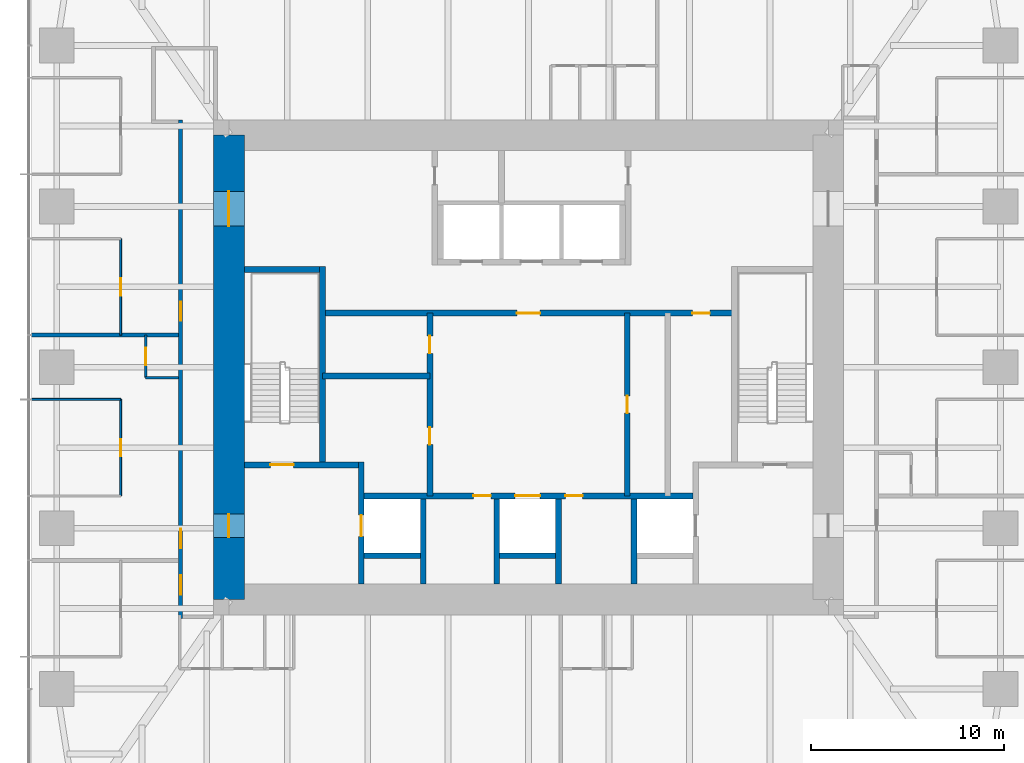
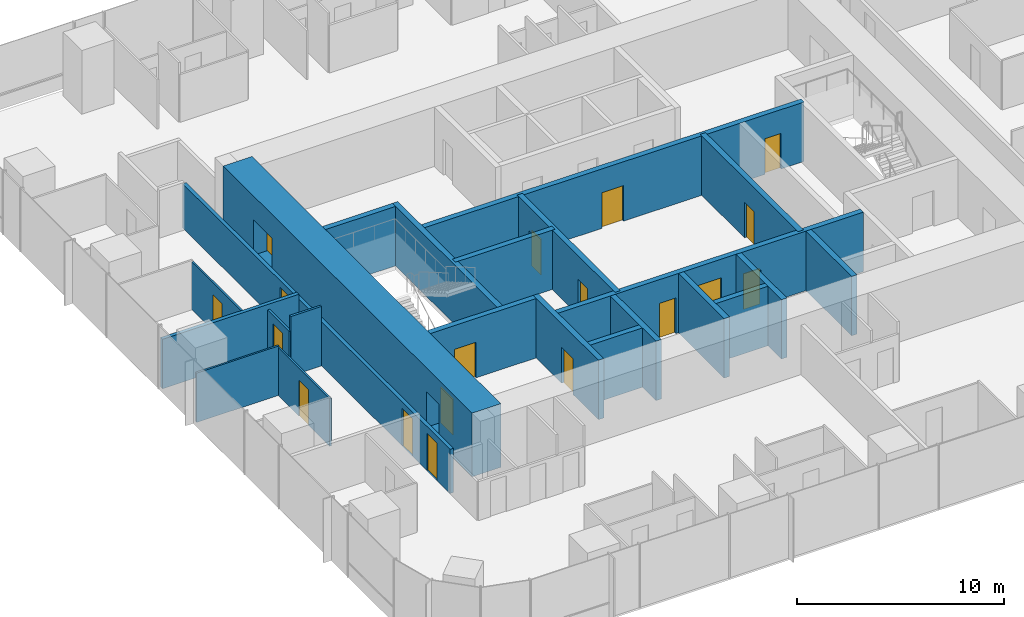
# One storey, part 9 of 13: 23 walls, 18 doors, 18 openings.
"""IFC4 building model written with IfcOpenShell, lengths in metres."""

import ifcopenshell
import ifcopenshell.guid

model = None  # the IFC model being written
_history = None  # IfcOwnerHistory: only IFC2X3 demands one
_inside = {}  # id of a spatial element -> (the spatial element, [elements in it])
_under = {}  # id of a project, library or spatial element -> (it, [spatial elements below it])
_declared = {}  # id of a project -> (the project, [libraries it declares])
_typed = {}  # id of a type object -> (the type object, [elements of that type])
_made_of = {}  # id of a material, layer set ... -> (it, [elements and type objects made of it])


def new_model(schema):
    """Start an empty IFC model of exactly this schema.

    Asked for "IFC4X3", IfcOpenShell would pick the latest addendum, in which some entities
    have other attributes; the version numbers below select the first issue.
    IFC2X3 requires an IfcOwnerHistory on every rooted entity: one is made here for all.
    """
    global model, _history
    if schema == "IFC4X3":
        model = ifcopenshell.file(schema_version=(4, 3, 0, 0))
    else:
        model = ifcopenshell.file(schema=schema)
    _inside.clear()
    _under.clear()
    _declared.clear()
    _typed.clear()
    _made_of.clear()
    _history = None
    if model.schema == "IFC2X3":
        org = make("IfcOrganization", Name="unknown")
        user = make(
            "IfcPersonAndOrganization",
            ThePerson=make("IfcPerson", FamilyName="unknown"),
            TheOrganization=org,
        )
        app = make(
            "IfcApplication",
            ApplicationDeveloper=org,
            Version="unknown",
            ApplicationFullName="unknown",
            ApplicationIdentifier="unknown",
        )
        _history = make(
            "IfcOwnerHistory",
            OwningUser=user,
            OwningApplication=app,
            ChangeAction="ADDED",
            CreationDate=0,
        )
    return model


def make(cls, **values):
    """One entity of the class cls with the attributes given. An attribute that is None is left unset."""
    return model.create_entity(
        cls, **{name: value for name, value in values.items() if value is not None}
    )


def rooted(cls, **values):
    """An entity with a GlobalId (a new one), such as an element, a storey or a relation."""
    return make(cls, GlobalId=ifcopenshell.guid.new(), OwnerHistory=_history, **values)


def si_unit(unit_type, name, prefix=None):
    """IfcSIUnit, for example si_unit("LENGTHUNIT", "METRE", prefix="MILLI")."""
    return make("IfcSIUnit", UnitType=unit_type, Prefix=prefix, Name=name)


def assignment(units):
    """IfcUnitAssignment: the units of a project."""
    return None if units is None else make("IfcUnitAssignment", Units=units)


def point(xyz):
    """IfcCartesianPoint."""
    return None if xyz is None else make("IfcCartesianPoint", Coordinates=xyz)


def direction(xyz):
    """IfcDirection."""
    return None if xyz is None else make("IfcDirection", DirectionRatios=xyz)


def frame(location, z_axis=None, x_axis=None):
    """IfcAxis2Placement3D, a coordinate frame: its origin and axes. An axis left out is left unset."""
    return make(
        "IfcAxis2Placement3D",
        Location=point(location),
        Axis=direction(z_axis),
        RefDirection=direction(x_axis),
    )


def frame_2d(location, x_axis=None):
    """IfcAxis2Placement2D, a coordinate frame in the plane: its origin and x axis."""
    return make(
        "IfcAxis2Placement2D", Location=point(location), RefDirection=direction(x_axis)
    )


def origin():
    """The frame at (0, 0, 0) with its axes left unset."""
    return frame((0.0, 0.0, 0.0))


def place(relative_to, where):
    """IfcLocalPlacement: puts the frame where relative to a parent placement (None: the world)."""
    return make(
        "IfcLocalPlacement", PlacementRelTo=relative_to, RelativePlacement=where
    )


def context(
    kind, dimensions, precision=None, world=None, true_north=None, identifier=None
):
    """IfcGeometricRepresentationContext, for example the 3D "Model" context."""
    return make(
        "IfcGeometricRepresentationContext",
        ContextIdentifier=identifier,
        ContextType=kind,
        CoordinateSpaceDimension=dimensions,
        Precision=precision,
        WorldCoordinateSystem=world,
        TrueNorth=true_north,
    )


def subcontext(parent, identifier, kind, view, scale=None):
    """IfcGeometricRepresentationSubContext, for example "Body" below "Model"."""
    return make(
        "IfcGeometricRepresentationSubContext",
        ContextIdentifier=identifier,
        ContextType=kind,
        ParentContext=parent,
        TargetScale=scale,
        TargetView=view,
    )


def project(units=None, contexts=None):
    """IfcProject with its units and contexts."""
    return rooted(
        "IfcProject",
        Name="project",
        RepresentationContexts=contexts,
        UnitsInContext=assignment(units),
    )


def spatial(cls, under=None, at=None, **own):
    """A site, building, storey or space (cls), placed at a placement, below another one or the project."""
    s = rooted(cls, ObjectPlacement=at, **own)
    if under is not None:
        _under.setdefault(under.id(), (under, []))[1].append(s)
    return s


def profile(cls, at=None, kind="AREA", **sizes):
    """A parametric profile (cls). Its sizes go by their IFC names, for example OverallWidth=200.0."""
    return make(cls, ProfileType=kind, Position=at, **sizes)


def rectangle(**sizes):
    """IfcRectangleProfileDef."""
    return profile("IfcRectangleProfileDef", **sizes)


def extrude(swept, where, along, depth):
    """IfcExtrudedAreaSolid: the profile swept, set in the frame where, extruded along a direction by depth."""
    return make(
        "IfcExtrudedAreaSolid",
        SweptArea=swept,
        Position=where,
        ExtrudedDirection=direction(along),
        Depth=depth,
    )


def shape(context_of_items, identifier, shape_type, items):
    """IfcShapeRepresentation: the items that make up one representation, for example the "Body"."""
    return make(
        "IfcShapeRepresentation",
        ContextOfItems=context_of_items,
        RepresentationIdentifier=identifier,
        RepresentationType=shape_type,
        Items=items,
    )


def material(Name=None, Category=None):
    """IfcMaterial."""
    return make("IfcMaterial", Name=Name, Category=Category)


def layer(
    of_material, thickness, ventilated=None, Name=None, Category=None, Priority=None
):
    """IfcMaterialLayer: one layer of a wall or slab, of a material (None: an air gap)."""
    return make(
        "IfcMaterialLayer",
        Material=of_material,
        LayerThickness=thickness,
        IsVentilated=ventilated,
        Name=Name,
        Category=Category,
        Priority=Priority,
    )


def layer_set(layers, Name=None):
    """IfcMaterialLayerSet."""
    return make("IfcMaterialLayerSet", MaterialLayers=layers, LayerSetName=Name)


def made_of(thing, what):
    """Note that an element or type object is made of a material, layer set ...; save() writes the relation."""
    if what is not None:
        _made_of.setdefault(what.id(), (what, []))[1].append(thing)
    return thing


def type_object(cls, material=None, **own):
    """A type object (cls), such as IfcWallType, which elements share."""
    return made_of(rooted(cls, **own), material)


def element(
    cls,
    number,
    at=None,
    inside=None,
    cuts=None,
    type_object=None,
    material=None,
    context=None,
    identifier="Body",
    shape_type=None,
    held_by="IfcProductDefinitionShape",
    body=None,
    shapes=None,
    **own,
):
    """One element of the class cls, such as IfcWall. Its Tag is "e" and its number.

    at: its placement. inside: the storey or other place that contains it. cuts: it is an
    opening in that element (IfcRelVoidsElement). A single representation is given by context,
    identifier, shape_type and body (its items); several are given by shapes. held_by: the class
    of the entity that holds the representations. save() writes the other relations.
    """
    e = rooted(cls, Tag="e%d" % number, ObjectPlacement=at, **own)
    if body is not None:
        shapes = [shape(context, identifier, shape_type, body)]
    if shapes is not None:
        e.Representation = make(held_by, Representations=shapes)
    if inside is not None:
        _inside.setdefault(inside.id(), (inside, []))[1].append(e)
    if cuts is not None:
        rooted(
            "IfcRelVoidsElement", RelatingBuildingElement=cuts, RelatedOpeningElement=e
        )
    if type_object is not None:
        _typed.setdefault(type_object.id(), (type_object, []))[1].append(e)
    return made_of(e, material)


def fill(opening, filler):
    """IfcRelFillsElement: the door or window that sits in an opening."""
    return rooted(
        "IfcRelFillsElement",
        RelatingOpeningElement=opening,
        RelatedBuildingElement=filler,
    )


def aggregate(whole, parts):
    """IfcRelAggregates: a whole, such as a stair, and the parts it consists of."""
    return rooted("IfcRelAggregates", RelatingObject=whole, RelatedObjects=parts)


def save(model, path):
    """Write the relations noted so far, then the file.

    IfcRelAggregates (storeys below a building ...), IfcRelContainedInSpatialStructure (elements
    in a storey), IfcRelDefinesByType, IfcRelAssociatesMaterial and IfcRelDeclares: one each for
    every whole, place, type object, material and project.
    """
    for whole, parts in _under.values():
        aggregate(whole, parts)
    for where, things in _inside.values():
        rooted(
            "IfcRelContainedInSpatialStructure",
            RelatedElements=things,
            RelatingStructure=where,
        )
    for kind, things in _typed.values():
        rooted("IfcRelDefinesByType", RelatedObjects=things, RelatingType=kind)
    for what, things in _made_of.values():
        rooted("IfcRelAssociatesMaterial", RelatedObjects=things, RelatingMaterial=what)
    for by, libraries in _declared.values():
        rooted("IfcRelDeclares", RelatingContext=by, RelatedDefinitions=libraries)
    model.write(path)


model = new_model("IFC4")

# Units and contexts
model_context = context("Model", 3, precision=1e-05, world=origin(), true_north=direction((0.0, 1.0)))
body_context = subcontext(model_context, "Body", "Model", "MODEL_VIEW")
ifc_project = project(units=[si_unit("LENGTHUNIT", "METRE"), si_unit("AREAUNIT", "SQUARE_METRE"), si_unit("VOLUMEUNIT", "CUBIC_METRE"), si_unit("PLANEANGLEUNIT", "RADIAN"), si_unit("MASSUNIT", "GRAM", prefix="KILO")], contexts=[model_context])

# Site, building, storey
site_placement = place(None, origin())
site = spatial("IfcSite", under=ifc_project, at=site_placement, CompositionType="ELEMENT")
building_placement = place(site_placement, origin())
building = spatial("IfcBuilding", under=site, at=building_placement, Name="Khuree Lantern Residences", CompositionType="ELEMENT")
storey_placement = place(building_placement, frame((0.0, 0.0, 248.25)))
storey = spatial("IfcBuildingStorey", under=building, at=storey_placement, Name="L62", CompositionType="ELEMENT", Elevation=248.25)

# Wall, opening, door
ifc_material_1 = material(Name="Moisture-resistant gypsum board on steel studs", Category="steel")
ifc_layer_1 = layer(ifc_material_1, 0.125)
ifc_layer_set_1 = layer_set([ifc_layer_1], Name="BATHROOM WALL BTW125")
wall_type_1 = type_object("IfcWallType", Name="BATHROOM WALL BTW125", PredefinedType="PARTITIONING", material=ifc_layer_set_1)
wall_1_placement = place(storey_placement, frame((-19.800048828125, 1.6640625, 0.0), z_axis=(0.0, 0.0, 1.0), x_axis=(0.0, -1.0, 0.0)))
wall_1 = element("IfcWall", 1, at=wall_1_placement, inside=storey, type_object=wall_type_1, Name="L62 BATHROOM WALL 04", PredefinedType="PARTITIONING", context=body_context, shape_type="SweptSolid", body=[
    extrude(rectangle(XDim=2.199951171875, YDim=0.125, at=frame_2d((1.10009765625, 0.0))), origin(), (0.0, 0.0, 1.0), 2.60009765625),
])
opening_1_placement = place(wall_1_placement, frame((0.64990234375, 0.0, 0.0)))
opening_1 = element("IfcOpeningElement", 2, at=opening_1_placement, cuts=wall_1, Name="Opening 62-043", PredefinedType="OPENING", context=body_context, shape_type="SweptSolid", body=[
    extrude(rectangle(XDim=0.89990234375, YDim=2.10009765625, at=frame_2d((0.449951171875, 1.050048828125))), frame((0.0, 0.072509765625, 0.0), z_axis=(0.0, -1.0, 0.0), x_axis=(1.0, 0.0, 0.0)), (0.0, 0.0, 1.0), 0.14501953125),
])
ifc_material_2 = material(Name="Timber door leaf in hardwood frame", Category="wood")
door_type_1 = type_object("IfcDoorType", Name="BATHROOM DOOR 900X2100", OperationType="SINGLE_SWING_LEFT", PredefinedType="DOOR", material=ifc_material_2)
door_1_placement = place(opening_1_placement, origin())
door_1 = element("IfcDoor", 3, at=door_1_placement, inside=storey, type_object=door_type_1, Name="Bathroom door 62-043", OperationType="SINGLE_SWING_LEFT", OverallHeight=2.10009765625, OverallWidth=0.89990234375, PredefinedType="DOOR", context=body_context, shape_type="SweptSolid", body=[
    extrude(rectangle(XDim=0.89990234375, YDim=2.10009765625, at=frame_2d((0.449951171875, 1.050048828125))), frame((0.0, 0.02490234375, 0.0), z_axis=(0.0, -1.0, 0.0), x_axis=(1.0, 0.0, 0.0)), (0.0, 0.0, 1.0), 0.050048828125),
])
fill(opening_1, door_1)

# Wall
wall_2_placement = place(storey_placement, frame((-18.10009765625, -0.535888671875, 0.0), z_axis=(0.0, 0.0, 1.0), x_axis=(-1.0, 0.0, 0.0)))
element("IfcWall", 4, at=wall_2_placement, inside=storey, type_object=wall_type_1, Name="L62 BATHROOM WALL 04", PredefinedType="PARTITIONING", context=body_context, shape_type="SweptSolid", body=[
    extrude(rectangle(XDim=1.699951171875, YDim=0.125, at=frame_2d((0.85009765625, 0.0))), origin(), (0.0, 0.0, 1.0), 3.5),
])

# Wall, opening, door
ifc_material_3 = material(Name="Dense concrete blockwork", Category="masonry")
ifc_layer_2 = layer(ifc_material_3, 0.300048828125)
ifc_layer_set_2 = layer_set([ifc_layer_2], Name="CORE PARTITION WALL CPW300 EI 120")
wall_type_2 = type_object("IfcWallType", Name="CORE PARTITION WALL CPW300 EI 120", PredefinedType="PARTITIONING", material=ifc_layer_set_2)
wall_3_placement = place(storey_placement, frame((-8.64990234375, -11.199951171875, 0.0), z_axis=(0.0, 0.0, 1.0), x_axis=(0.0, 1.0, 0.0)))
wall_3 = element("IfcWall", 5, at=wall_3_placement, inside=storey, type_object=wall_type_2, Name="L62 CORE WALL FL1W", PredefinedType="PARTITIONING", context=body_context, shape_type="SweptSolid", body=[
    extrude(rectangle(XDim=6.300048828125, YDim=0.300048828125, at=frame_2d((3.14990234375, 0.0))), origin(), (0.0, 0.0, 1.0), 3.5),
])
opening_2_placement = place(wall_3_placement, frame((2.449951171875, 0.0, 0.0)))
opening_2 = element("IfcOpeningElement", 6, at=opening_2_placement, cuts=wall_3, Name="Opening 62-007", PredefinedType="OPENING", context=body_context, shape_type="SweptSolid", body=[
    extrude(rectangle(XDim=1.10009765625, YDim=2.10009765625, at=frame_2d((0.550048828125, 1.050048828125))), frame((0.0, 0.16015625, 0.0), z_axis=(0.0, -1.0, 0.0), x_axis=(1.0, 0.0, 0.0)), (0.0, 0.0, 1.0), 0.320068359375),
])
ifc_material_4 = material(Name="Stainless steel lift landing door", Category="steel")
door_type_2 = type_object("IfcDoorType", Name="LIFT LANDING DOOR 1100X2100 E 120", OperationType="DOUBLE_DOOR_SLIDING", PredefinedType="DOOR", material=ifc_material_4)
door_2_placement = place(opening_2_placement, origin())
door_2 = element("IfcDoor", 7, at=door_2_placement, inside=storey, type_object=door_type_2, Name="Landing door FL1 62-007", OperationType="DOUBLE_DOOR_SLIDING", OverallHeight=2.10009765625, OverallWidth=1.10009765625, PredefinedType="DOOR", context=body_context, shape_type="SweptSolid", body=[
    extrude(rectangle(XDim=1.10009765625, YDim=2.10009765625, at=frame_2d((0.550048828125, 1.050048828125))), frame((0.0, 0.02490234375, 0.0), z_axis=(0.0, -1.0, 0.0), x_axis=(1.0, 0.0, 0.0)), (0.0, 0.0, 1.0), 0.050048828125),
])
fill(opening_2, door_2)

# Wall, openings, doors
wall_4_placement = place(storey_placement, frame((-8.5, -6.64990234375, 0.0), z_axis=(0.0, 0.0, 1.0), x_axis=(1.0, 0.0, 0.0)))
wall_4 = element("IfcWall", 8, at=wall_4_placement, inside=storey, type_object=wall_type_2, Name="L62 CORE WALL FLROW", PredefinedType="PARTITIONING", context=body_context, shape_type="SweptSolid", body=[
    extrude(rectangle(XDim=17.0, YDim=0.300048828125, at=frame_2d((8.5, 0.0))), origin(), (0.0, 0.0, 1.0), 3.5),
])
opening_3_placement = place(wall_4_placement, frame((7.800048828125, 0.0, 0.0)))
opening_3 = element("IfcOpeningElement", 9, at=opening_3_placement, cuts=wall_4, Name="Opening 62-012", PredefinedType="OPENING", context=body_context, shape_type="SweptSolid", body=[
    extrude(rectangle(XDim=1.300048828125, YDim=2.39990234375, at=frame_2d((0.64990234375, 1.199951171875))), frame((0.0, 0.16015625, 0.0), z_axis=(0.0, -1.0, 0.0), x_axis=(1.0, 0.0, 0.0)), (0.0, 0.0, 1.0), 0.320068359375),
])
opening_4_placement = place(wall_4_placement, frame((5.64990234375, 0.0, 0.0)))
opening_4 = element("IfcOpeningElement", 10, at=opening_4_placement, cuts=wall_4, Name="Opening 62-014", PredefinedType="OPENING", context=body_context, shape_type="SweptSolid", body=[
    extrude(rectangle(XDim=0.89990234375, YDim=2.10009765625, at=frame_2d((0.449951171875, 1.050048828125))), frame((0.0, 0.16015625, 0.0), z_axis=(0.0, -1.0, 0.0), x_axis=(1.0, 0.0, 0.0)), (0.0, 0.0, 1.0), 0.320068359375),
])
opening_5_placement = place(wall_4_placement, frame((10.39990234375, 0.0, 0.0)))
opening_5 = element("IfcOpeningElement", 11, at=opening_5_placement, cuts=wall_4, Name="Opening 62-015", PredefinedType="OPENING", context=body_context, shape_type="SweptSolid", body=[
    extrude(rectangle(XDim=0.89990234375, YDim=2.10009765625, at=frame_2d((0.449951171875, 1.050048828125))), frame((0.0, 0.16015625, 0.0), z_axis=(0.0, -1.0, 0.0), x_axis=(1.0, 0.0, 0.0)), (0.0, 0.0, 1.0), 0.320068359375),
])
ifc_material_5 = material(Name="Steel door leaf in steel frame", Category="steel")
door_type_3 = type_object("IfcDoorType", Name="DOOR 900X2100 EI 60", OperationType="SINGLE_SWING_LEFT", PredefinedType="DOOR", material=ifc_material_5)
door_3_placement = place(opening_4_placement, origin())
door_3 = element("IfcDoor", 12, at=door_3_placement, inside=storey, type_object=door_type_3, Name="Refuse chute room door 62-014", OperationType="SINGLE_SWING_LEFT", OverallHeight=2.10009765625, OverallWidth=0.89990234375, PredefinedType="DOOR", context=body_context, shape_type="SweptSolid", body=[
    extrude(rectangle(XDim=0.89990234375, YDim=2.10009765625, at=frame_2d((0.449951171875, 1.050048828125))), frame((0.0, 0.02490234375, 0.0), z_axis=(0.0, -1.0, 0.0), x_axis=(1.0, 0.0, 0.0)), (0.0, 0.0, 1.0), 0.050048828125),
])
fill(opening_4, door_3)
door_type_4 = type_object("IfcDoorType", Name="DOOR 900X2100 EI 60 RIGHT HAND", OperationType="SINGLE_SWING_RIGHT", PredefinedType="DOOR", material=ifc_material_5)
door_4_placement = place(opening_5_placement, origin())
door_4 = element("IfcDoor", 13, at=door_4_placement, inside=storey, type_object=door_type_4, Name="Electrical and plumbing riser door 62-015", OperationType="SINGLE_SWING_RIGHT", OverallHeight=2.10009765625, OverallWidth=0.89990234375, PredefinedType="DOOR", context=body_context, shape_type="SweptSolid", body=[
    extrude(rectangle(XDim=0.89990234375, YDim=2.10009765625, at=frame_2d((0.449951171875, 1.050048828125))), frame((0.0, 0.02490234375, 0.0), z_axis=(0.0, -1.0, 0.0), x_axis=(1.0, 0.0, 0.0)), (0.0, 0.0, 1.0), 0.050048828125),
])
fill(opening_5, door_4)
door_type_5 = type_object("IfcDoorType", Name="LIFT LANDING DOOR 1300X2400 E 60", OperationType="DOUBLE_DOOR_SLIDING", PredefinedType="DOOR", material=ifc_material_4)
door_5_placement = place(opening_3_placement, origin())
door_5 = element("IfcDoor", 14, at=door_5_placement, inside=storey, type_object=door_type_5, Name="Landing door SL1 62-012", OperationType="DOUBLE_DOOR_SLIDING", OverallHeight=2.39990234375, OverallWidth=1.300048828125, PredefinedType="DOOR", context=body_context, shape_type="SweptSolid", body=[
    extrude(rectangle(XDim=1.300048828125, YDim=2.39990234375, at=frame_2d((0.64990234375, 1.199951171875))), frame((0.0, 0.02490234375, 0.0), z_axis=(0.0, -1.0, 0.0), x_axis=(1.0, 0.0, 0.0)), (0.0, 0.0, 1.0), 0.050048828125),
])
fill(opening_3, door_5)

# Walls
for number, where, z_axis, x_axis, name in (
    (15, (-5.449951171875, -11.199951171875, 0.0), (0.0, 0.0, 1.0), (0.0, 1.0, 0.0), "L62 CORE WALL FL1E"),
    (16, (-1.64990234375, -11.199951171875, 0.0), (0.0, 0.0, 1.0), (0.0, 1.0, 0.0), "L62 CORE WALL SL1W"),
    (17, (1.550048828125, -11.199951171875, 0.0), (0.0, 0.0, 1.0), (0.0, 1.0, 0.0), "L62 CORE WALL SL1E"),
    (18, (5.449951171875, -11.199951171875, 0.0), (0.0, 0.0, 1.0), (0.0, 1.0, 0.0), "L62 CORE WALL FL2W"),
):
    element("IfcWall", number, at=place(storey_placement, frame(where, z_axis=z_axis, x_axis=x_axis)), inside=storey, type_object=wall_type_2, Name=name, PredefinedType="PARTITIONING", context=body_context, shape_type="SweptSolid", body=[
        extrude(rectangle(XDim=4.39990234375, YDim=0.300048828125, at=frame_2d((2.199951171875, 0.0))), origin(), (0.0, 0.0, 1.0), 3.5),
    ])
for number, where, z_axis, x_axis, name in (
    (19, (-8.5, -9.75, 0.0), (0.0, 0.0, 1.0), (1.0, 0.0, 0.0), "L62 CORE WALL FL1S"),
    (20, (-1.5, -9.75, 0.0), (0.0, 0.0, 1.0), (1.0, 0.0, 0.0), "L62 CORE WALL SL1S"),
):
    element("IfcWall", number, at=place(storey_placement, frame(where, z_axis=z_axis, x_axis=x_axis)), inside=storey, type_object=wall_type_2, Name=name, PredefinedType="PARTITIONING", context=body_context, shape_type="SweptSolid", body=[
        extrude(rectangle(XDim=2.89990234375, YDim=0.300048828125, at=frame_2d((1.449951171875, 0.0))), origin(), (0.0, 0.0, 1.0), 3.5),
    ])

# Wall, openings, doors
wall_5_placement = place(storey_placement, frame((-10.64990234375, 2.800048828125, 0.0), z_axis=(0.0, 0.0, 1.0), x_axis=(1.0, 0.0, 0.0)))
wall_5 = element("IfcWall", 21, at=wall_5_placement, inside=storey, type_object=wall_type_2, Name="L62 CORE WALL LLS", PredefinedType="PARTITIONING", context=body_context, shape_type="SweptSolid", body=[
    extrude(rectangle(XDim=21.2998046875, YDim=0.300048828125, at=frame_2d((10.64990234375, 0.0))), origin(), (0.0, 0.0, 1.0), 3.5),
])
opening_6_placement = place(wall_5_placement, frame((10.050048828125, 0.0, 0.0)))
opening_6 = element("IfcOpeningElement", 22, at=opening_6_placement, cuts=wall_5, Name="Opening 62-013", PredefinedType="OPENING", context=body_context, shape_type="SweptSolid", body=[
    extrude(rectangle(XDim=1.199951171875, YDim=2.10009765625, at=frame_2d((0.60009765625, 1.050048828125))), frame((0.0, 0.16015625, 0.0), z_axis=(0.0, -1.0, 0.0), x_axis=(1.0, 0.0, 0.0)), (0.0, 0.0, 1.0), 0.320068359375),
])
opening_7_placement = place(wall_5_placement, frame((19.12109375, 0.0, 0.0)))
opening_7 = element("IfcOpeningElement", 23, at=opening_7_placement, cuts=wall_5, Name="Opening 62-019", PredefinedType="OPENING", context=body_context, shape_type="SweptSolid", body=[
    extrude(rectangle(XDim=0.89990234375, YDim=2.10009765625, at=frame_2d((0.449951171875, 1.050048828125))), frame((0.0, 0.16015625, 0.0), z_axis=(0.0, -1.0, 0.0), x_axis=(1.0, 0.0, 0.0)), (0.0, 0.0, 1.0), 0.320068359375),
])
door_type_6 = type_object("IfcDoorType", Name="DOOR 1200X2100 EI 60", OperationType="SINGLE_SWING_LEFT", PredefinedType="DOOR", material=ifc_material_5)
door_6_placement = place(opening_6_placement, origin())
door_6 = element("IfcDoor", 24, at=door_6_placement, inside=storey, type_object=door_type_6, Name="Service lift lobby door 62-013", OperationType="SINGLE_SWING_LEFT", OverallHeight=2.10009765625, OverallWidth=1.199951171875, PredefinedType="DOOR", context=body_context, shape_type="SweptSolid", body=[
    extrude(rectangle(XDim=1.199951171875, YDim=2.10009765625, at=frame_2d((0.60009765625, 1.050048828125))), frame((0.0, 0.02490234375, 0.0), z_axis=(0.0, -1.0, 0.0), x_axis=(1.0, 0.0, 0.0)), (0.0, 0.0, 1.0), 0.050048828125),
])
fill(opening_6, door_6)
door_type_7 = type_object("IfcDoorType", Name="DOOR 900X2100 RIGHT HAND", OperationType="SINGLE_SWING_RIGHT", PredefinedType="DOOR", material=ifc_material_2)
door_7_placement = place(opening_7_placement, origin())
door_7 = element("IfcDoor", 25, at=door_7_placement, inside=storey, type_object=door_type_7, Name="Residents' store door 62-019", OperationType="SINGLE_SWING_RIGHT", OverallHeight=2.10009765625, OverallWidth=0.89990234375, PredefinedType="DOOR", context=body_context, shape_type="SweptSolid", body=[
    extrude(rectangle(XDim=0.89990234375, YDim=2.10009765625, at=frame_2d((0.449951171875, 1.050048828125))), frame((0.0, 0.02490234375, 0.0), z_axis=(0.0, -1.0, 0.0), x_axis=(1.0, 0.0, 0.0)), (0.0, 0.0, 1.0), 0.050048828125),
])
fill(opening_7, door_7)

wall_6_placement = place(storey_placement, frame((-5.10009765625, -6.64990234375, 0.0), z_axis=(0.0, 0.0, 1.0), x_axis=(0.0, 1.0, 0.0)))
wall_6 = element("IfcWall", 26, at=wall_6_placement, inside=storey, type_object=wall_type_2, Name="L62 CORE WALL SVW", PredefinedType="PARTITIONING", context=body_context, shape_type="SweptSolid", body=[
    extrude(rectangle(XDim=9.449951171875, YDim=0.300048828125, at=frame_2d((4.72509765625, 0.0))), origin(), (0.0, 0.0, 1.0), 3.5),
])
opening_8_placement = place(wall_6_placement, frame((2.64794921875, 0.0, 0.0)))
opening_8 = element("IfcOpeningElement", 27, at=opening_8_placement, cuts=wall_6, Name="Opening 62-016", PredefinedType="OPENING", context=body_context, shape_type="SweptSolid", body=[
    extrude(rectangle(XDim=0.89990234375, YDim=2.10009765625, at=frame_2d((0.449951171875, 1.050048828125))), frame((0.0, 0.16015625, 0.0), z_axis=(0.0, -1.0, 0.0), x_axis=(1.0, 0.0, 0.0)), (0.0, 0.0, 1.0), 0.320068359375),
])
opening_9_placement = place(wall_6_placement, frame((7.373046875, 0.0, 0.0)))
opening_9 = element("IfcOpeningElement", 28, at=opening_9_placement, cuts=wall_6, Name="Opening 62-017", PredefinedType="OPENING", context=body_context, shape_type="SweptSolid", body=[
    extrude(rectangle(XDim=0.89990234375, YDim=2.10009765625, at=frame_2d((0.449951171875, 1.050048828125))), frame((0.0, 0.16015625, 0.0), z_axis=(0.0, -1.0, 0.0), x_axis=(1.0, 0.0, 0.0)), (0.0, 0.0, 1.0), 0.320068359375),
])
door_type_8 = type_object("IfcDoorType", Name="DOOR 900X2100", OperationType="SINGLE_SWING_LEFT", PredefinedType="DOOR", material=ifc_material_2)
door_8_placement = place(opening_8_placement, origin())
door_8 = element("IfcDoor", 29, at=door_8_placement, inside=storey, type_object=door_type_8, Name="Residents' store door 62-016", OperationType="SINGLE_SWING_LEFT", OverallHeight=2.10009765625, OverallWidth=0.89990234375, PredefinedType="DOOR", context=body_context, shape_type="SweptSolid", body=[
    extrude(rectangle(XDim=0.89990234375, YDim=2.10009765625, at=frame_2d((0.449951171875, 1.050048828125))), frame((0.0, 0.02490234375, 0.0), z_axis=(0.0, -1.0, 0.0), x_axis=(1.0, 0.0, 0.0)), (0.0, 0.0, 1.0), 0.050048828125),
])
fill(opening_8, door_8)
door_9_placement = place(opening_9_placement, origin())
door_9 = element("IfcDoor", 30, at=door_9_placement, inside=storey, type_object=door_type_8, Name="Bulky waste store door 62-017", OperationType="SINGLE_SWING_LEFT", OverallHeight=2.10009765625, OverallWidth=0.89990234375, PredefinedType="DOOR", context=body_context, shape_type="SweptSolid", body=[
    extrude(rectangle(XDim=0.89990234375, YDim=2.10009765625, at=frame_2d((0.449951171875, 1.050048828125))), frame((0.0, 0.02490234375, 0.0), z_axis=(0.0, -1.0, 0.0), x_axis=(1.0, 0.0, 0.0)), (0.0, 0.0, 1.0), 0.050048828125),
])
fill(opening_9, door_9)

# Wall, opening, door
wall_7_placement = place(storey_placement, frame((5.10009765625, -6.64990234375, 0.0), z_axis=(0.0, 0.0, 1.0), x_axis=(0.0, 1.0, 0.0)))
wall_7 = element("IfcWall", 31, at=wall_7_placement, inside=storey, type_object=wall_type_2, Name="L62 CORE WALL SVE", PredefinedType="PARTITIONING", context=body_context, shape_type="SweptSolid", body=[
    extrude(rectangle(XDim=9.449951171875, YDim=0.300048828125, at=frame_2d((4.72509765625, 0.0))), origin(), (0.0, 0.0, 1.0), 3.5),
])
opening_10_placement = place(wall_7_placement, frame((4.27490234375, 0.0, 0.0)))
opening_10 = element("IfcOpeningElement", 32, at=opening_10_placement, cuts=wall_7, Name="Opening 62-018", PredefinedType="OPENING", context=body_context, shape_type="SweptSolid", body=[
    extrude(rectangle(XDim=0.89990234375, YDim=2.10009765625, at=frame_2d((0.449951171875, 1.050048828125))), frame((0.0, 0.16015625, 0.0), z_axis=(0.0, -1.0, 0.0), x_axis=(1.0, 0.0, 0.0)), (0.0, 0.0, 1.0), 0.320068359375),
])
door_10_placement = place(opening_10_placement, origin())
door_10 = element("IfcDoor", 33, at=door_10_placement, inside=storey, type_object=door_type_8, Name="Parcel room door 62-018", OperationType="SINGLE_SWING_LEFT", OverallHeight=2.10009765625, OverallWidth=0.89990234375, PredefinedType="DOOR", context=body_context, shape_type="SweptSolid", body=[
    extrude(rectangle(XDim=0.89990234375, YDim=2.10009765625, at=frame_2d((0.449951171875, 1.050048828125))), frame((0.0, 0.02490234375, 0.0), z_axis=(0.0, -1.0, 0.0), x_axis=(1.0, 0.0, 0.0)), (0.0, 0.0, 1.0), 0.050048828125),
])
fill(opening_10, door_10)

# Wall
wall_8_placement = place(storey_placement, frame((-10.64990234375, -0.455078125, 0.0), z_axis=(0.0, 0.0, 1.0), x_axis=(1.0, 0.0, 0.0)))
element("IfcWall", 34, at=wall_8_placement, inside=storey, type_object=wall_type_2, Name="L62 CORE WALL WX", PredefinedType="PARTITIONING", context=body_context, shape_type="SweptSolid", body=[
    extrude(rectangle(XDim=5.5498046875, YDim=0.300048828125, at=frame_2d((2.77490234375, 0.0))), origin(), (0.0, 0.0, 1.0), 3.5),
])

# Wall, openings, doors
ifc_material_6 = material(Name="Gypsum board on steel studs", Category="steel")
ifc_layer_3 = layer(ifc_material_6, 0.199951171875)
ifc_layer_set_3 = layer_set([ifc_layer_3], Name="CORRIDOR WALL CRW200 EI 60")
wall_type_3 = type_object("IfcWallType", Name="CORRIDOR WALL CRW200 EI 60", PredefinedType="PARTITIONING", material=ifc_layer_set_3)
wall_9_placement = place(storey_placement, frame((-18.0, 12.800048828125, 0.0), z_axis=(0.0, 0.0, 1.0), x_axis=(0.0, -1.0, 0.0)))
wall_9 = element("IfcWall", 35, at=wall_9_placement, inside=storey, type_object=wall_type_3, Name="L62 CORRIDOR WALL WEST 1", PredefinedType="PARTITIONING", context=body_context, shape_type="SweptSolid", body=[
    extrude(rectangle(XDim=25.800048828125, YDim=0.199951171875, at=frame_2d((12.89990234375, 0.0))), origin(), (0.0, 0.0, 1.0), 2.60009765625),
])
opening_11_placement = place(wall_9_placement, frame((9.39990234375, 0.0, 0.0)))
opening_11 = element("IfcOpeningElement", 36, at=opening_11_placement, cuts=wall_9, Name="Opening 62-041", PredefinedType="OPENING", context=body_context, shape_type="SweptSolid", body=[
    extrude(rectangle(XDim=1.0, YDim=2.199951171875, at=frame_2d((0.5, 1.10009765625))), frame((0.0, 0.10986328125, 0.0), z_axis=(0.0, -1.0, 0.0), x_axis=(1.0, 0.0, 0.0)), (0.0, 0.0, 1.0), 0.219970703125),
])
opening_12_placement = place(wall_9_placement, frame((21.156005859375, 0.0, 0.0)))
opening_12 = element("IfcOpeningElement", 37, at=opening_12_placement, cuts=wall_9, Name="Opening 62-044", PredefinedType="OPENING", context=body_context, shape_type="SweptSolid", body=[
    extrude(rectangle(XDim=1.0, YDim=2.199951171875, at=frame_2d((0.5, 1.10009765625))), frame((0.0, 0.10986328125, 0.0), z_axis=(0.0, -1.0, 0.0), x_axis=(1.0, 0.0, 0.0)), (0.0, 0.0, 1.0), 0.219970703125),
])
opening_13_placement = place(wall_9_placement, frame((23.553955078125, 0.0, 0.0)))
opening_13 = element("IfcOpeningElement", 38, at=opening_13_placement, cuts=wall_9, Name="Opening 62-053", PredefinedType="OPENING", context=body_context, shape_type="SweptSolid", body=[
    extrude(rectangle(XDim=1.0, YDim=2.199951171875, at=frame_2d((0.5, 1.10009765625))), frame((0.0, 0.10986328125, 0.0), z_axis=(0.0, -1.0, 0.0), x_axis=(1.0, 0.0, 0.0)), (0.0, 0.0, 1.0), 0.219970703125),
])
door_type_9 = type_object("IfcDoorType", Name="APARTMENT ENTRANCE DOOR 1000X2200 EI 30S", OperationType="SINGLE_SWING_LEFT", PredefinedType="DOOR", material=ifc_material_2)
door_11_placement = place(opening_11_placement, origin())
door_11 = element("IfcDoor", 39, at=door_11_placement, inside=storey, type_object=door_type_9, Name="Apartment 03 entrance door 62-041", OperationType="SINGLE_SWING_LEFT", OverallHeight=2.199951171875, OverallWidth=1.0, PredefinedType="DOOR", context=body_context, shape_type="SweptSolid", body=[
    extrude(rectangle(XDim=1.0, YDim=2.199951171875, at=frame_2d((0.5, 1.10009765625))), frame((0.0, 0.02490234375, 0.0), z_axis=(0.0, -1.0, 0.0), x_axis=(1.0, 0.0, 0.0)), (0.0, 0.0, 1.0), 0.050048828125),
])
fill(opening_11, door_11)
door_type_10 = type_object("IfcDoorType", Name="APARTMENT ENTRANCE DOOR 1000X2200 EI 30S RIGHT HAND", OperationType="SINGLE_SWING_RIGHT", PredefinedType="DOOR", material=ifc_material_2)
door_12_placement = place(opening_12_placement, origin())
door_12 = element("IfcDoor", 40, at=door_12_placement, inside=storey, type_object=door_type_10, Name="Apartment 04 entrance door 62-044", OperationType="SINGLE_SWING_RIGHT", OverallHeight=2.199951171875, OverallWidth=1.0, PredefinedType="DOOR", context=body_context, shape_type="SweptSolid", body=[
    extrude(rectangle(XDim=1.0, YDim=2.199951171875, at=frame_2d((0.5, 1.10009765625))), frame((0.0, 0.02490234375, 0.0), z_axis=(0.0, -1.0, 0.0), x_axis=(1.0, 0.0, 0.0)), (0.0, 0.0, 1.0), 0.050048828125),
])
fill(opening_12, door_12)
door_13_placement = place(opening_13_placement, origin())
door_13 = element("IfcDoor", 41, at=door_13_placement, inside=storey, type_object=door_type_10, Name="Apartment 05 entrance door 62-053", OperationType="SINGLE_SWING_RIGHT", OverallHeight=2.199951171875, OverallWidth=1.0, PredefinedType="DOOR", context=body_context, shape_type="SweptSolid", body=[
    extrude(rectangle(XDim=1.0, YDim=2.199951171875, at=frame_2d((0.5, 1.10009765625))), frame((0.0, 0.02490234375, 0.0), z_axis=(0.0, -1.0, 0.0), x_axis=(1.0, 0.0, 0.0)), (0.0, 0.0, 1.0), 0.050048828125),
])
fill(opening_13, door_13)

ifc_material_7 = material(Name="Concrete C50/60", Category="concrete")
ifc_layer_4 = layer(ifc_material_7, 1.60009765625)
ifc_layer_set_4 = layer_set([ifc_layer_4], Name="CW1600-C50 CORE WALL C50 1600")
wall_type_4 = type_object("IfcWallType", Name="CW1600-C50 CORE WALL C50 1600", PredefinedType="SHEAR", material=ifc_layer_set_4)
wall_10_placement = place(storey_placement, frame((-15.5, -12.0, -0.25), z_axis=(0.0, 0.0, 1.0), x_axis=(0.0, 1.0, 0.0)))
wall_10 = element("IfcWall", 42, at=wall_10_placement, inside=storey, type_object=wall_type_4, Name="Core wall W", PredefinedType="SHEAR", context=body_context, shape_type="SweptSolid", body=[
    extrude(rectangle(XDim=24.0, YDim=1.60009765625, at=frame_2d((12.0, 0.0))), origin(), (0.0, 0.0, 1.0), 3.75),
])
opening_14_placement = place(wall_10_placement, frame((3.199951171875, 0.0, 0.25)))
opening_14 = element("IfcOpeningElement", 43, at=opening_14_placement, cuts=wall_10, Name="Opening 62-002", PredefinedType="OPENING", context=body_context, shape_type="SweptSolid", body=[
    extrude(rectangle(XDim=1.199951171875, YDim=2.10009765625, at=frame_2d((0.60009765625, 1.050048828125))), frame((0.0, 0.81005859375, 0.0), z_axis=(0.0, -1.0, 0.0), x_axis=(1.0, 0.0, 0.0)), (0.0, 0.0, 1.0), 1.6201171875),
])
opening_15_placement = place(wall_10_placement, frame((19.300048828125, 0.0, 0.25)))
opening_15 = element("IfcOpeningElement", 44, at=opening_15_placement, cuts=wall_10, Name="Opening 62-003", PredefinedType="OPENING", context=body_context, shape_type="SweptSolid", body=[
    extrude(rectangle(XDim=1.800048828125, YDim=2.10009765625, at=frame_2d((0.89990234375, 1.050048828125))), frame((0.0, 0.81005859375, 0.0), z_axis=(0.0, -1.0, 0.0), x_axis=(1.0, 0.0, 0.0)), (0.0, 0.0, 1.0), 1.6201171875),
])
door_type_11 = type_object("IfcDoorType", Name="LOBBY DOOR 1200X2100 EI 120", OperationType="SINGLE_SWING_LEFT", PredefinedType="DOOR", material=ifc_material_5)
door_14_placement = place(opening_14_placement, origin())
door_14 = element("IfcDoor", 45, at=door_14_placement, inside=storey, type_object=door_type_11, Name="Firefighting lobby door 62-002", OperationType="SINGLE_SWING_LEFT", OverallHeight=2.10009765625, OverallWidth=1.199951171875, PredefinedType="DOOR", context=body_context, shape_type="SweptSolid", body=[
    extrude(rectangle(XDim=1.199951171875, YDim=2.10009765625, at=frame_2d((0.60009765625, 1.050048828125))), frame((0.0, 0.02490234375, 0.0), z_axis=(0.0, -1.0, 0.0), x_axis=(1.0, 0.0, 0.0)), (0.0, 0.0, 1.0), 0.050048828125),
])
fill(opening_14, door_14)
door_type_12 = type_object("IfcDoorType", Name="LOBBY DOUBLE DOOR 1800X2100 EI 60", OperationType="DOUBLE_DOOR_SINGLE_SWING", PredefinedType="DOOR", material=ifc_material_5)
door_15_placement = place(opening_15_placement, origin())
door_15 = element("IfcDoor", 46, at=door_15_placement, inside=storey, type_object=door_type_12, Name="Lift lobby door 62-003", OperationType="DOUBLE_DOOR_SINGLE_SWING", OverallHeight=2.10009765625, OverallWidth=1.800048828125, PredefinedType="DOOR", context=body_context, shape_type="SweptSolid", body=[
    extrude(rectangle(XDim=1.800048828125, YDim=2.10009765625, at=frame_2d((0.89990234375, 1.050048828125))), frame((0.0, 0.02490234375, 0.0), z_axis=(0.0, -1.0, 0.0), x_axis=(1.0, 0.0, 0.0)), (0.0, 0.0, 1.0), 0.050048828125),
])
fill(opening_15, door_15)

# Walls
ifc_layer_5 = layer(ifc_material_6, 0.199951171875)
ifc_layer_set_5 = layer_set([ifc_layer_5], Name="DEMISING WALL DMW200 EI 90")
wall_type_5 = type_object("IfcWallType", Name="DEMISING WALL DMW200 EI 90", PredefinedType="PARTITIONING", material=ifc_layer_set_5)
wall_11_placement = place(storey_placement, frame((-18.10009765625, 1.6640625, 0.0), z_axis=(0.0, 0.0, 1.0), x_axis=(-1.0, 0.0, 0.0)))
element("IfcWall", 47, at=wall_11_placement, inside=storey, type_object=wall_type_5, Name="L62 DEMISING WALL 04", PredefinedType="PARTITIONING", context=body_context, shape_type="SweptSolid", body=[
    extrude(rectangle(XDim=7.599853515625, YDim=0.199951171875, at=frame_2d((3.7998046875, 0.0))), origin(), (0.0, 0.0, 1.0), 2.909912109375),
])
ifc_layer_6 = layer(ifc_material_6, 0.10009765625)
ifc_layer_set_6 = layer_set([ifc_layer_6], Name="PARTITION PT100")
wall_type_6 = type_object("IfcWallType", Name="PARTITION PT100", PredefinedType="PARTITIONING", material=ifc_layer_set_6)
wall_12_placement = place(storey_placement, frame((-21.10009765625, -1.6640625, 0.0), z_axis=(0.0, 0.0, 1.0), x_axis=(-1.0, 0.0, 0.0)))
element("IfcWall", 48, at=wall_12_placement, inside=storey, type_object=wall_type_6, Name="L62 PARTITION 04", PredefinedType="PARTITIONING", context=body_context, shape_type="SweptSolid", body=[
    extrude(rectangle(XDim=4.599853515625, YDim=0.10009765625, at=frame_2d((2.2998046875, 0.0))), origin(), (0.0, 0.0, 1.0), 2.909912109375),
])

# Wall, opening, door
wall_13_placement = place(storey_placement, frame((-21.10009765625, 6.656005859375, 0.0), z_axis=(0.0, 0.0, 1.0), x_axis=(0.0, -1.0, 0.0)))
wall_13 = element("IfcWall", 49, at=wall_13_placement, inside=storey, type_object=wall_type_6, Name="L62 PARTITION 03", PredefinedType="PARTITIONING", context=body_context, shape_type="SweptSolid", body=[
    extrude(rectangle(XDim=4.991943359375, YDim=0.10009765625, at=frame_2d((2.49609375, 0.0))), origin(), (0.0, 0.0, 1.0), 2.81005859375),
])
opening_16_placement = place(wall_13_placement, frame((2.0458984375, 0.0, 0.0)))
opening_16 = element("IfcOpeningElement", 50, at=opening_16_placement, cuts=wall_13, Name="Opening 62-037", PredefinedType="OPENING", context=body_context, shape_type="SweptSolid", body=[
    extrude(rectangle(XDim=0.89990234375, YDim=2.10009765625, at=frame_2d((0.449951171875, 1.050048828125))), frame((0.0, 0.06005859375, 0.0), z_axis=(0.0, -1.0, 0.0), x_axis=(1.0, 0.0, 0.0)), (0.0, 0.0, 1.0), 0.1201171875),
])
door_type_13 = type_object("IfcDoorType", Name="BEDROOM DOOR 900X2100 RIGHT HAND", OperationType="SINGLE_SWING_RIGHT", PredefinedType="DOOR", material=ifc_material_2)
door_16_placement = place(opening_16_placement, origin())
door_16 = element("IfcDoor", 51, at=door_16_placement, inside=storey, type_object=door_type_13, Name="Bedroom door 62-037", OperationType="SINGLE_SWING_RIGHT", OverallHeight=2.10009765625, OverallWidth=0.89990234375, PredefinedType="DOOR", context=body_context, shape_type="SweptSolid", body=[
    extrude(rectangle(XDim=0.89990234375, YDim=2.10009765625, at=frame_2d((0.449951171875, 1.050048828125))), frame((0.0, 0.02490234375, 0.0), z_axis=(0.0, -1.0, 0.0), x_axis=(1.0, 0.0, 0.0)), (0.0, 0.0, 1.0), 0.050048828125),
])
fill(opening_16, door_16)

wall_14_placement = place(storey_placement, frame((-21.10009765625, -1.6640625, 0.0), z_axis=(0.0, 0.0, 1.0), x_axis=(0.0, -1.0, 0.0)))
wall_14 = element("IfcWall", 52, at=wall_14_placement, inside=storey, type_object=wall_type_6, Name="L62 PARTITION 04", PredefinedType="PARTITIONING", context=body_context, shape_type="SweptSolid", body=[
    extrude(rectangle(XDim=4.991943359375, YDim=0.10009765625, at=frame_2d((2.49609375, 0.0))), origin(), (0.0, 0.0, 1.0), 2.81005859375),
])
opening_17_placement = place(wall_14_placement, frame((2.0458984375, 0.0, 0.0)))
opening_17 = element("IfcOpeningElement", 53, at=opening_17_placement, cuts=wall_14, Name="Opening 62-042", PredefinedType="OPENING", context=body_context, shape_type="SweptSolid", body=[
    extrude(rectangle(XDim=0.89990234375, YDim=2.10009765625, at=frame_2d((0.449951171875, 1.050048828125))), frame((0.0, 0.06005859375, 0.0), z_axis=(0.0, -1.0, 0.0), x_axis=(1.0, 0.0, 0.0)), (0.0, 0.0, 1.0), 0.1201171875),
])
door_type_14 = type_object("IfcDoorType", Name="BEDROOM DOOR 900X2100", OperationType="SINGLE_SWING_LEFT", PredefinedType="DOOR", material=ifc_material_2)
door_17_placement = place(opening_17_placement, origin())
door_17 = element("IfcDoor", 54, at=door_17_placement, inside=storey, type_object=door_type_14, Name="Bedroom door 62-042", OperationType="SINGLE_SWING_LEFT", OverallHeight=2.10009765625, OverallWidth=0.89990234375, PredefinedType="DOOR", context=body_context, shape_type="SweptSolid", body=[
    extrude(rectangle(XDim=0.89990234375, YDim=2.10009765625, at=frame_2d((0.449951171875, 1.050048828125))), frame((0.0, 0.02490234375, 0.0), z_axis=(0.0, -1.0, 0.0), x_axis=(1.0, 0.0, 0.0)), (0.0, 0.0, 1.0), 0.050048828125),
])
fill(opening_17, door_17)

# Wall
ifc_layer_7 = layer(ifc_material_7, 0.300048828125)
ifc_layer_set_7 = layer_set([ifc_layer_7], Name="STAIR WALL SRW300 C50/60 REI 240")
wall_type_7 = type_object("IfcWallType", Name="STAIR WALL SRW300 C50/60 REI 240", PredefinedType="SOLIDWALL", material=ifc_layer_set_7)
wall_15_placement = place(storey_placement, frame((-10.64990234375, -4.89990234375, 0.0), z_axis=(0.0, 0.0, 1.0), x_axis=(0.0, 1.0, 0.0)))
element("IfcWall", 55, at=wall_15_placement, inside=storey, type_object=wall_type_7, Name="L62 STAIR WALL ST1E", PredefinedType="SOLIDWALL", context=body_context, shape_type="SweptSolid", body=[
    extrude(rectangle(XDim=10.099853515625, YDim=0.300048828125, at=frame_2d((5.0498046875, 0.0))), origin(), (0.0, 0.0, 1.0), 3.5),
])

# Wall, opening, door
wall_16_placement = place(storey_placement, frame((-14.699951171875, -5.050048828125, 0.0), z_axis=(0.0, 0.0, 1.0), x_axis=(1.0, 0.0, 0.0)))
wall_16 = element("IfcWall", 56, at=wall_16_placement, inside=storey, type_object=wall_type_7, Name="L62 STAIR WALL ST1S", PredefinedType="SOLIDWALL", context=body_context, shape_type="SweptSolid", body=[
    extrude(rectangle(XDim=5.89990234375, YDim=0.300048828125, at=frame_2d((2.949951171875, 0.0))), origin(), (0.0, 0.0, 1.0), 3.5),
])
opening_18_placement = place(wall_16_placement, frame((1.35009765625, 0.0, 0.0)))
opening_18 = element("IfcOpeningElement", 57, at=opening_18_placement, cuts=wall_16, Name="Opening 62-001", PredefinedType="OPENING", context=body_context, shape_type="SweptSolid", body=[
    extrude(rectangle(XDim=1.199951171875, YDim=2.10009765625, at=frame_2d((0.60009765625, 1.050048828125))), frame((0.0, 0.16015625, 0.0), z_axis=(0.0, -1.0, 0.0), x_axis=(1.0, 0.0, 0.0)), (0.0, 0.0, 1.0), 0.320068359375),
])
door_type_15 = type_object("IfcDoorType", Name="STAIR DOOR 1200X2100 EI 120", OperationType="SINGLE_SWING_LEFT", PredefinedType="DOOR", material=ifc_material_5)
door_18_placement = place(opening_18_placement, origin())
door_18 = element("IfcDoor", 58, at=door_18_placement, inside=storey, type_object=door_type_15, Name="Stair ST1 door 62-001", OperationType="SINGLE_SWING_LEFT", OverallHeight=2.10009765625, OverallWidth=1.199951171875, PredefinedType="DOOR", context=body_context, shape_type="SweptSolid", body=[
    extrude(rectangle(XDim=1.199951171875, YDim=2.10009765625, at=frame_2d((0.60009765625, 1.050048828125))), frame((0.0, 0.02490234375, 0.0), z_axis=(0.0, -1.0, 0.0), x_axis=(1.0, 0.0, 0.0)), (0.0, 0.0, 1.0), 0.050048828125),
])
fill(opening_18, door_18)

# Wall
wall_17_placement = place(storey_placement, frame((-14.699951171875, 5.050048828125, 0.0), z_axis=(0.0, 0.0, 1.0), x_axis=(1.0, 0.0, 0.0)))
element("IfcWall", 59, at=wall_17_placement, inside=storey, type_object=wall_type_7, Name="L62 STAIR WALL ST1N", PredefinedType="SOLIDWALL", context=body_context, shape_type="SweptSolid", body=[
    extrude(rectangle(XDim=3.89990234375, YDim=0.300048828125, at=frame_2d((1.949951171875, 0.0))), origin(), (0.0, 0.0, 1.0), 3.5),
])

save(model, "model.ifc")
